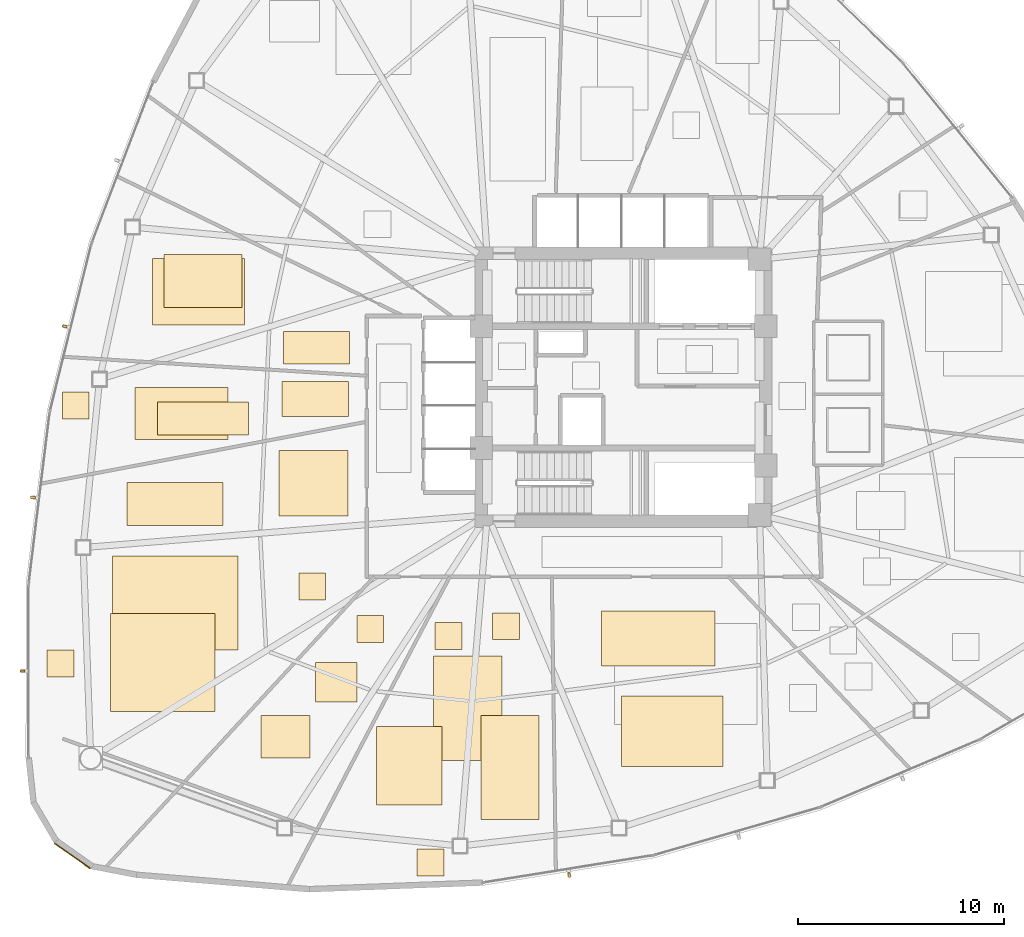
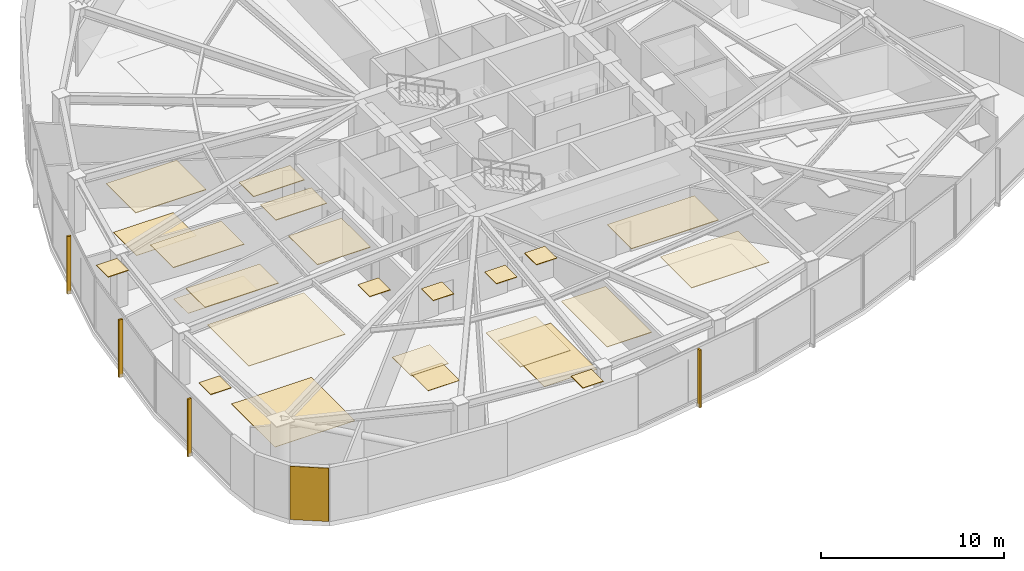
# One storey, part 14 of 17: 25 coverings, 4 shading devices.
"""IFC4 building model written with IfcOpenShell, lengths in metres."""

from ifc_helpers import new_model, si_unit, direction, frame, origin, origin_2d, place, context, subcontext, project, spatial, polyline, rectangle, outline, extrude, source, transform, mapped, material, layer, layer_set, type_object, type_shapes, element, save


model = new_model("IFC4")

# Units and contexts
model_context = context("Model", 3, precision=1e-05, world=origin(), true_north=direction((0.0, 1.0)))
body_context = subcontext(model_context, "Body", "Model", "MODEL_VIEW")
ifc_project = project(units=[si_unit("LENGTHUNIT", "METRE"), si_unit("AREAUNIT", "SQUARE_METRE"), si_unit("VOLUMEUNIT", "CUBIC_METRE"), si_unit("PLANEANGLEUNIT", "RADIAN"), si_unit("MASSUNIT", "GRAM", prefix="KILO")], contexts=[model_context])

# Site, building, storey
site_placement = place(None, origin())
site = spatial("IfcSite", under=ifc_project, at=site_placement, CompositionType="ELEMENT")
building_placement = place(site_placement, origin())
building = spatial("IfcBuilding", under=site, at=building_placement, Name="Tavelor Broadcast Tower", CompositionType="ELEMENT")
storey_placement = place(building_placement, frame((0.0, 0.0, 78.300048828125)))
storey = spatial("IfcBuildingStorey", under=building, at=storey_placement, Name="L18", CompositionType="ELEMENT", Elevation=78.300048828125)

# Coverings
ifc_material_1 = material(Name="Copper-Bronze Anodized Aluminium", Category="aluminium")
ifc_layer_1 = layer(ifc_material_1, 0.050048828125)
ifc_layer_set_1 = layer_set([ifc_layer_1], Name="Copper-Bronze Anodized Aluminium")
covering_type_1 = type_object("IfcCoveringType", Name="Champagne-Bronze Corner Pier Metal Cladding 50 mm", PredefinedType="CLADDING", material=ifc_layer_set_1)
covering_1_placement = place(storey_placement, frame((23.273193359375, 22.262939453125, 0.02001953125), z_axis=(0.0, 0.0, 1.0), x_axis=(0.816641555162, -0.577145190037, 0.0)))
element("IfcCovering", 1, at=covering_1_placement, inside=storey, type_object=covering_type_1, Name="L18 Champagne-Bronze Corner Cladding 13", PredefinedType="CLADDING", context=body_context, shape_type="SweptSolid", body=[
    extrude(rectangle(XDim=2.115234375, YDim=0.050048828125, at=origin_2d()), origin(), (0.0, 0.0, 1.0), 3.56005859375),
])
ifc_material_2 = material(Name="Acoustic Nylon Carpet Tile")
ifc_layer_2 = layer(ifc_material_2, 0.02001953125)
ifc_layer_set_2 = layer_set([ifc_layer_2], Name="Acoustic Nylon Carpet Tile")
covering_type_2 = type_object("IfcCoveringType", Name="Heavy-Duty Acoustic Broadcast Carpet Tile 20 mm", PredefinedType="FLOORING", material=ifc_layer_set_2)
covering_2_placement = place(storey_placement, origin())
element("IfcCovering", 2, at=covering_2_placement, inside=storey, type_object=covering_type_2, Name="L18 Broadcast Floor Finish 0260", PredefinedType="FLOORING", context=body_context, shape_type="SweptSolid", body=[
    extrude(outline(polyline([(40.779296875, 26.881591796875), (44.10498046875, 26.881591796875), (44.10498046875, 31.9638671875), (40.779296875, 31.9638671875), (40.779296875, 26.881591796875)])), origin(), (0.0, 0.0, 1.0), 0.02001953125),
])
covering_3_placement = place(storey_placement, origin())
element("IfcCovering", 3, at=covering_3_placement, inside=storey, type_object=covering_type_2, Name="L18 Broadcast Floor Finish 0261", PredefinedType="FLOORING", context=body_context, shape_type="SweptSolid", body=[
    extrude(outline(polyline([(35.07373046875, 29.72265625), (37.064208984375, 29.72265625), (37.064208984375, 31.639404296875), (35.07373046875, 31.639404296875), (35.07373046875, 29.72265625)])), origin(), (0.0, 0.0, 1.0), 0.02001953125),
])
covering_4_placement = place(storey_placement, origin())
element("IfcCovering", 4, at=covering_4_placement, inside=storey, type_object=covering_type_2, Name="L18 Broadcast Floor Finish 0262", PredefinedType="FLOORING", context=body_context, shape_type="SweptSolid", body=[
    extrude(outline(polyline([(25.130615234375, 29.256103515625), (30.18798828125, 29.256103515625), (30.18798828125, 34.021728515625), (25.130615234375, 34.021728515625), (25.130615234375, 29.256103515625)])), origin(), (0.0, 0.0, 1.0), 0.02001953125),
])
covering_5_placement = place(storey_placement, origin())
element("IfcCovering", 5, at=covering_5_placement, inside=storey, type_object=covering_type_2, Name="L18 Broadcast Floor Finish 0263", PredefinedType="FLOORING", context=body_context, shape_type="SweptSolid", body=[
    extrude(outline(polyline([(27.395751953125, 42.67529296875), (31.81201171875, 42.67529296875), (31.81201171875, 44.2705078125), (27.395751953125, 44.2705078125), (27.395751953125, 42.67529296875)])), origin(), (0.0, 0.0, 1.0), 0.02001953125),
])
covering_6_placement = place(storey_placement, origin())
element("IfcCovering", 6, at=covering_6_placement, inside=storey, type_object=covering_type_2, Name="L18 Broadcast Floor Finish 0264", PredefinedType="FLOORING", context=body_context, shape_type="SweptSolid", body=[
    extrude(outline(polyline([(27.718994140625, 48.868896484375), (31.49951171875, 48.868896484375), (31.49951171875, 51.42236328125), (27.718994140625, 51.42236328125), (27.718994140625, 48.868896484375)])), origin(), (0.0, 0.0, 1.0), 0.02001953125),
])
ifc_material_3 = material(Name="Acoustic Mineral Fibre Tile")
ifc_layer_3 = layer(ifc_material_3, 0.0400390625)
ifc_layer_set_3 = layer_set([ifc_layer_3], Name="Acoustic Mineral Fibre Tile")
covering_type_3 = type_object("IfcCoveringType", Name="Suspended Acoustic Mineral-Fibre Office Ceiling 40 mm", PredefinedType="CEILING", material=ifc_layer_set_3)
covering_7_placement = place(storey_placement, frame((0.0, 0.0, 3.56005859375)))
element("IfcCovering", 7, at=covering_7_placement, inside=storey, type_object=covering_type_3, Name="L18 Suspended Acoustic Ceiling 0743", PredefinedType="CEILING", context=body_context, shape_type="SweptSolid", body=[
    extrude(outline(polyline([(48.93310546875, 31.4697265625), (54.43603515625, 31.4697265625), (54.43603515625, 34.13134765625), (48.93310546875, 34.13134765625), (48.93310546875, 31.4697265625)])), origin(), (0.0, 0.0, 1.0), 0.039794921875),
])
covering_8_placement = place(storey_placement, frame((0.0, 0.0, 3.56005859375)))
element("IfcCovering", 8, at=covering_8_placement, inside=storey, type_object=covering_type_3, Name="L18 Suspended Acoustic Ceiling 0745", PredefinedType="CEILING", context=body_context, shape_type="SweptSolid", body=[
    extrude(outline(polyline([(49.914794921875, 26.596435546875), (54.821533203125, 26.596435546875), (54.821533203125, 30.024169921875), (49.914794921875, 30.024169921875), (49.914794921875, 26.596435546875)])), origin(), (0.0, 0.0, 1.0), 0.039794921875),
])
covering_9_placement = place(storey_placement, frame((0.0, 0.0, 3.56005859375)))
element("IfcCovering", 9, at=covering_9_placement, inside=storey, type_object=covering_type_3, Name="L18 Suspended Acoustic Ceiling 0746", PredefinedType="CEILING", context=body_context, shape_type="SweptSolid", body=[
    extrude(outline(polyline([(38.029052734375, 24.7421875), (41.1904296875, 24.7421875), (41.1904296875, 28.5283203125), (38.029052734375, 28.5283203125), (38.029052734375, 24.7421875)])), origin(), (0.0, 0.0, 1.0), 0.039794921875),
])
covering_10_placement = place(storey_placement, frame((0.0, 0.0, 3.56005859375)))
element("IfcCovering", 10, at=covering_10_placement, inside=storey, type_object=covering_type_3, Name="L18 Suspended Acoustic Ceiling 0747", PredefinedType="CEILING", context=body_context, shape_type="SweptSolid", body=[
    extrude(outline(polyline([(40.868408203125, 32.272705078125), (42.168212890625, 32.272705078125), (42.168212890625, 33.572509765625), (40.868408203125, 33.572509765625), (40.868408203125, 32.272705078125)])), origin(), (0.0, 0.0, 1.0), 0.039794921875),
])
covering_11_placement = place(storey_placement, frame((0.0, 0.0, 3.56005859375)))
element("IfcCovering", 11, at=covering_11_placement, inside=storey, type_object=covering_type_3, Name="L18 Suspended Acoustic Ceiling 0748", PredefinedType="CEILING", context=body_context, shape_type="SweptSolid", body=[
    extrude(outline(polyline([(43.654541015625, 32.74755859375), (44.95458984375, 32.74755859375), (44.95458984375, 34.047607421875), (43.654541015625, 34.047607421875), (43.654541015625, 32.74755859375)])), origin(), (0.0, 0.0, 1.0), 0.039794921875),
])
covering_12_placement = place(storey_placement, frame((0.0, 0.0, 3.56005859375)))
element("IfcCovering", 12, at=covering_12_placement, inside=storey, type_object=covering_type_3, Name="L18 Suspended Acoustic Ceiling 0749", PredefinedType="CEILING", context=body_context, shape_type="SweptSolid", body=[
    extrude(outline(polyline([(43.102294921875, 24.02880859375), (45.912109375, 24.02880859375), (45.912109375, 29.0615234375), (43.102294921875, 29.0615234375), (43.102294921875, 24.02880859375)])), origin(), (0.0, 0.0, 1.0), 0.039794921875),
])
covering_13_placement = place(storey_placement, frame((0.0, 0.0, 3.56005859375)))
element("IfcCovering", 13, at=covering_13_placement, inside=storey, type_object=covering_type_3, Name="L18 Suspended Acoustic Ceiling 0750", PredefinedType="CEILING", context=body_context, shape_type="SweptSolid", body=[
    extrude(outline(polyline([(39.990478515625, 21.29638671875), (41.29052734375, 21.29638671875), (41.29052734375, 22.596435546875), (39.990478515625, 22.596435546875), (39.990478515625, 21.29638671875)])), origin(), (0.0, 0.0, 1.0), 0.039794921875),
])
covering_14_placement = place(storey_placement, frame((0.0, 0.0, 3.56005859375)))
element("IfcCovering", 14, at=covering_14_placement, inside=storey, type_object=covering_type_3, Name="L18 Suspended Acoustic Ceiling 0751", PredefinedType="CEILING", context=body_context, shape_type="SweptSolid", body=[
    extrude(outline(polyline([(32.41748046875, 27.000732421875), (34.799560546875, 27.000732421875), (34.799560546875, 29.06494140625), (32.41748046875, 29.06494140625), (32.41748046875, 27.000732421875)])), origin(), (0.0, 0.0, 1.0), 0.039794921875),
])
covering_15_placement = place(storey_placement, frame((0.0, 0.0, 3.56005859375)))
element("IfcCovering", 15, at=covering_15_placement, inside=storey, type_object=covering_type_3, Name="L18 Suspended Acoustic Ceiling 0752", PredefinedType="CEILING", context=body_context, shape_type="SweptSolid", body=[
    extrude(outline(polyline([(37.070556640625, 32.61328125), (38.37060546875, 32.61328125), (38.37060546875, 33.913330078125), (37.070556640625, 33.913330078125), (37.070556640625, 32.61328125)])), origin(), (0.0, 0.0, 1.0), 0.039794921875),
])
covering_16_placement = place(storey_placement, frame((0.0, 0.0, 3.56005859375)))
element("IfcCovering", 16, at=covering_16_placement, inside=storey, type_object=covering_type_3, Name="L18 Suspended Acoustic Ceiling 0753", PredefinedType="CEILING", context=body_context, shape_type="SweptSolid", body=[
    extrude(outline(polyline([(22.048095703125, 30.939697265625), (23.34814453125, 30.939697265625), (23.34814453125, 32.239501953125), (22.048095703125, 32.239501953125), (22.048095703125, 30.939697265625)])), origin(), (0.0, 0.0, 1.0), 0.039794921875),
])
covering_17_placement = place(storey_placement, frame((0.0, 0.0, 3.56005859375)))
element("IfcCovering", 17, at=covering_17_placement, inside=storey, type_object=covering_type_3, Name="L18 Suspended Acoustic Ceiling 0754", PredefinedType="CEILING", context=body_context, shape_type="SweptSolid", body=[
    extrude(outline(polyline([(25.921630859375, 38.293212890625), (30.58642578125, 38.293212890625), (30.58642578125, 40.3837890625), (25.921630859375, 40.3837890625), (25.921630859375, 38.293212890625)])), origin(), (0.0, 0.0, 1.0), 0.039794921875),
])
covering_18_placement = place(storey_placement, frame((0.0, 0.0, 3.56005859375)))
element("IfcCovering", 18, at=covering_18_placement, inside=storey, type_object=covering_type_3, Name="L18 Suspended Acoustic Ceiling 0755", PredefinedType="CEILING", context=body_context, shape_type="SweptSolid", body=[
    extrude(outline(polyline([(33.28466796875, 38.75048828125), (36.64892578125, 38.75048828125), (36.64892578125, 41.927001953125), (33.28466796875, 41.927001953125), (33.28466796875, 38.75048828125)])), origin(), (0.0, 0.0, 1.0), 0.039794921875),
])
covering_19_placement = place(storey_placement, frame((0.0, 0.0, 3.56005859375)))
element("IfcCovering", 19, at=covering_19_placement, inside=storey, type_object=covering_type_3, Name="L18 Suspended Acoustic Ceiling 0756", PredefinedType="CEILING", context=body_context, shape_type="SweptSolid", body=[
    extrude(outline(polyline([(34.251220703125, 34.6806640625), (35.551025390625, 34.6806640625), (35.551025390625, 35.980712890625), (34.251220703125, 35.980712890625), (34.251220703125, 34.6806640625)])), origin(), (0.0, 0.0, 1.0), 0.039794921875),
])
covering_20_placement = place(storey_placement, frame((0.0, 0.0, 3.56005859375)))
element("IfcCovering", 20, at=covering_20_placement, inside=storey, type_object=covering_type_3, Name="L18 Suspended Acoustic Ceiling 0757", PredefinedType="CEILING", context=body_context, shape_type="SweptSolid", body=[
    extrude(outline(polyline([(25.208740234375, 32.24951171875), (31.298828125, 32.24951171875), (31.298828125, 36.802734375), (25.208740234375, 36.802734375), (25.208740234375, 32.24951171875)])), origin(), (0.0, 0.0, 1.0), 0.039794921875),
])
covering_21_placement = place(storey_placement, frame((0.0, 0.0, 3.56005859375)))
element("IfcCovering", 21, at=covering_21_placement, inside=storey, type_object=covering_type_3, Name="L18 Suspended Acoustic Ceiling 0758", PredefinedType="CEILING", context=body_context, shape_type="SweptSolid", body=[
    extrude(outline(polyline([(33.44140625, 43.568603515625), (36.67431640625, 43.568603515625), (36.67431640625, 45.27490234375), (33.44140625, 45.27490234375), (33.44140625, 43.568603515625)])), origin(), (0.0, 0.0, 1.0), 0.039794921875),
])
covering_22_placement = place(storey_placement, frame((0.0, 0.0, 3.56005859375)))
element("IfcCovering", 22, at=covering_22_placement, inside=storey, type_object=covering_type_3, Name="L18 Suspended Acoustic Ceiling 0759", PredefinedType="CEILING", context=body_context, shape_type="SweptSolid", body=[
    extrude(outline(polyline([(26.31787109375, 42.4482421875), (30.81103515625, 42.4482421875), (30.81103515625, 44.970703125), (26.31787109375, 44.970703125), (26.31787109375, 42.4482421875)])), origin(), (0.0, 0.0, 1.0), 0.039794921875),
])
covering_23_placement = place(storey_placement, frame((0.0, 0.0, 3.56005859375)))
element("IfcCovering", 23, at=covering_23_placement, inside=storey, type_object=covering_type_3, Name="L18 Suspended Acoustic Ceiling 0760", PredefinedType="CEILING", context=body_context, shape_type="SweptSolid", body=[
    extrude(outline(polyline([(22.783447265625, 43.4541015625), (24.08349609375, 43.4541015625), (24.08349609375, 44.75390625), (22.783447265625, 44.75390625), (22.783447265625, 43.4541015625)])), origin(), (0.0, 0.0, 1.0), 0.039794921875),
])
covering_24_placement = place(storey_placement, frame((0.0, 0.0, 3.56005859375)))
element("IfcCovering", 24, at=covering_24_placement, inside=storey, type_object=covering_type_3, Name="L18 Suspended Acoustic Ceiling 0761", PredefinedType="CEILING", context=body_context, shape_type="SweptSolid", body=[
    extrude(outline(polyline([(33.51025390625, 46.114501953125), (36.716552734375, 46.114501953125), (36.716552734375, 47.706787109375), (33.51025390625, 47.706787109375), (33.51025390625, 46.114501953125)])), origin(), (0.0, 0.0, 1.0), 0.039794921875),
])
covering_25_placement = place(storey_placement, frame((0.0, 0.0, 3.56005859375)))
element("IfcCovering", 25, at=covering_25_placement, inside=storey, type_object=covering_type_3, Name="L18 Suspended Acoustic Ceiling 0762", PredefinedType="CEILING", context=body_context, shape_type="SweptSolid", body=[
    extrude(outline(polyline([(27.154052734375, 48.0029296875), (31.608642578125, 48.0029296875), (31.608642578125, 51.229736328125), (27.154052734375, 51.229736328125), (27.154052734375, 48.0029296875)])), origin(), (0.0, 0.0, 1.0), 0.039794921875),
])

# Shading devices
ifc_material_4 = material(Name="Kiln-Fired Glazed Terracotta", Category="masonry")
shading_device_type = type_object("IfcShadingDeviceType", Name="Extruded Terracotta Baguette Sun-Screen 110x240", PredefinedType="JALOUSIE", material=ifc_material_4)
shared_shape = source(origin(), body_context, "Body", "SweptSolid", [
    extrude(rectangle(XDim=0.110107421875, YDim=0.239990234375, at=origin_2d()), origin(), (0.0, 0.0, 1.0), 3.840087890625),
])
type_shapes(shading_device_type, [shared_shape])
for number, where, z_axis, x_axis, name in (
    (26, (22.895263671875, 47.94580078125, -0.26025390625), (0.0, 0.0, 1.0), (-0.240566871809, -0.970632567035, 0.0), "L18 Terracotta Baguette Fin 170"),
    (27, (21.365234375, 39.650146484375, -0.26025390625), (0.0, 0.0, 1.0), (-0.121349630774, -0.992609826221, 0.0), "L18 Terracotta Baguette Fin 171"),
    (28, (20.8505859375, 31.230224609375, -0.26025390625), (0.0, 0.0, 1.0), (-0.000349065843, -0.999999939077, 0.0), "L18 Terracotta Baguette Fin 172"),
    (29, (47.36865234375, 21.331298828125, -0.26025390625), (0.0, 0.0, 1.0), (0.987330860032, 0.158675054211, 0.0), "L18 Terracotta Baguette Fin 173"),
):
    element("IfcShadingDevice", number, at=place(storey_placement, frame(where, z_axis=z_axis, x_axis=x_axis)), inside=storey, type_object=shading_device_type, Name=name, PredefinedType="JALOUSIE", context=body_context, shape_type="MappedRepresentation", body=[
        mapped(shared_shape, transform((0.0, 0.0, 0.0), scale=1.0)),
    ])

save(model, "model.ifc")
